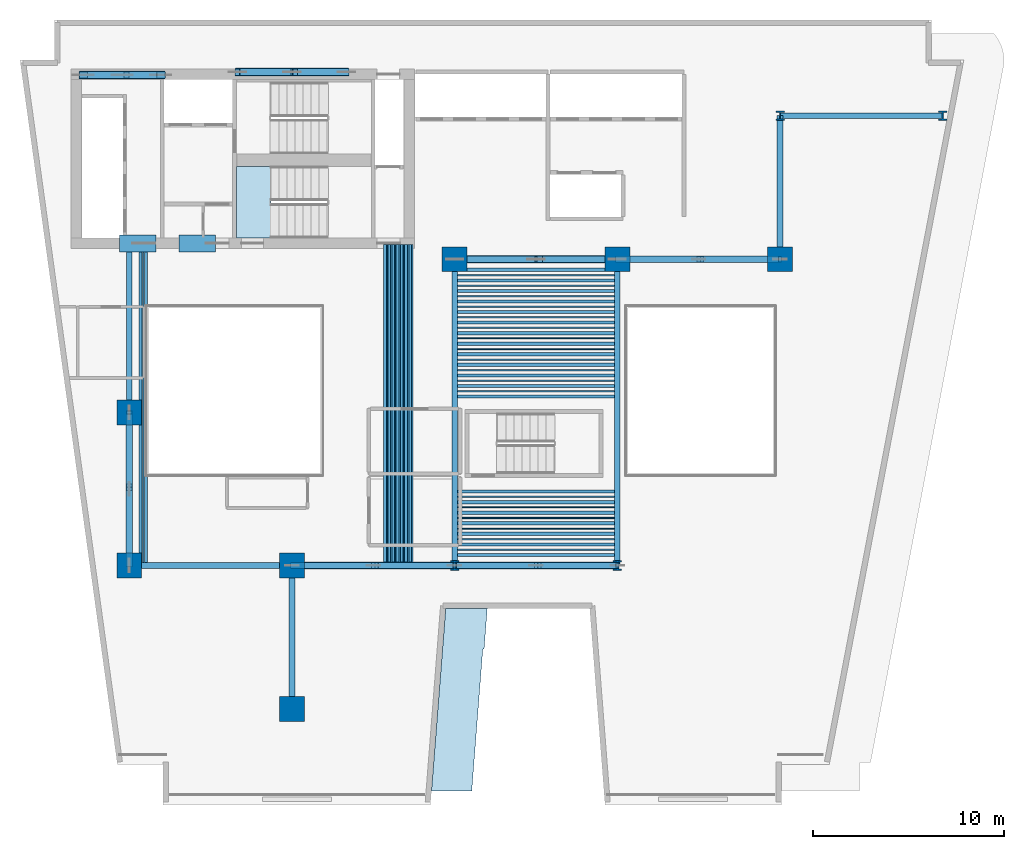
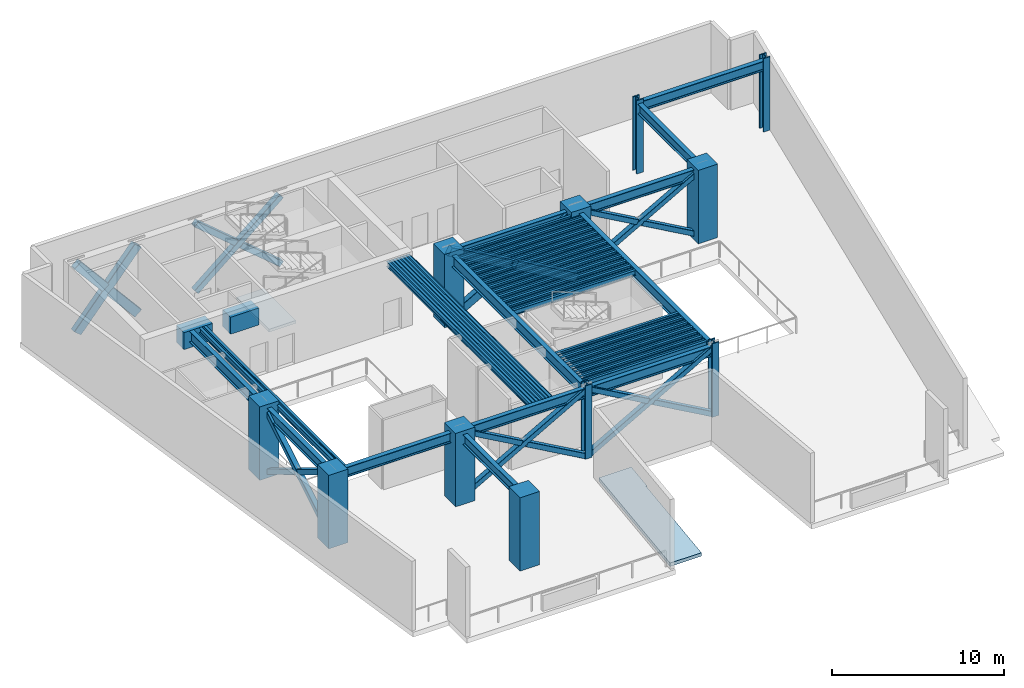
# One storey, part 1 of 8: 69 beams, 21 members, 11 columns, 2 slabs, 1 element without a shape of its own.
"""IFC4 building model written with IfcOpenShell, lengths in metres."""

from ifc_helpers import new_model, si_unit, direction, frame, origin, origin_2d, place, context, subcontext, project, spatial, polyline, rectangle, hollow_rectangle, i_section, outline, extrude, material, layer, layer_set, material_profile, profile_set, type_object, element, aggregate, save


model = new_model("IFC4")

# Units and contexts
model_context = context("Model", 3, precision=1e-05, world=origin(), true_north=direction((0.0, 1.0)))
body_context = subcontext(model_context, "Body", "Model", "MODEL_VIEW")
ifc_project = project(units=[si_unit("LENGTHUNIT", "METRE"), si_unit("AREAUNIT", "SQUARE_METRE"), si_unit("VOLUMEUNIT", "CUBIC_METRE"), si_unit("PLANEANGLEUNIT", "RADIAN"), si_unit("MASSUNIT", "GRAM", prefix="KILO")], contexts=[model_context])

# Site, building, storey
site_placement = place(None, origin())
site = spatial("IfcSite", under=ifc_project, at=site_placement, CompositionType="ELEMENT")
building_placement = place(site_placement, origin())
building = spatial("IfcBuilding", under=site, at=building_placement, Name="Caeloran Harvest Quay", CompositionType="ELEMENT")
storey_placement = place(building_placement, frame((0.0, 0.0, 106.199951171875)))
storey = spatial("IfcBuildingStorey", under=building, at=storey_placement, Name="L24", CompositionType="ELEMENT", Elevation=106.199951171875)

# Columns
ifc_material_1 = material(Name="Concrete C80/95", Category="concrete")
ifc_material_profile_1 = material_profile(ifc_material_1, rectangle(XDim=1.300048828125, YDim=1.300048828125, at=origin_2d()), Name="RC 1300x1300")
ifc_profile_set_1 = profile_set([ifc_material_profile_1], Name="Concrete C80/95")
column_type_1 = type_object("IfcColumnType", Name="COL-MC-2-RC_1300x1300", PredefinedType="COLUMN", material=ifc_profile_set_1)
for number, where, z_axis, x_axis, name in (
    (1, (8.5, 15.0, 0.0), (0.0, 0.0, 1.0), (1.0, 0.0, 0.0), "L24 Structural Column (8.5, 15.0)"),
    (2, (8.5, 23.0, 0.0), (0.0, 0.0, 1.0), (1.0, 0.0, 0.0), "L24 Structural Column (8.5, 23.0)"),
    (3, (17.0, 7.5, 0.0), (0.0, 0.0, 1.0), (1.0, 0.0, 0.0), "L24 Structural Column (17.0, 7.5)"),
    (4, (17.0, 15.0, 0.0), (0.0, 0.0, 1.0), (1.0, 0.0, 0.0), "L24 Structural Column (17.0, 15.0)"),
    (5, (25.5, 31.0, 0.0), (0.0, 0.0, 1.0), (1.0, 0.0, 0.0), "L24 Structural Column (25.5, 31.0)"),
    (6, (34.0, 31.0, 0.0), (0.0, 0.0, 1.0), (1.0, 0.0, 0.0), "L24 Structural Column (34.0, 31.0)"),
    (7, (42.5, 31.0, 0.0), (0.0, 0.0, 1.0), (1.0, 0.0, 0.0), "L24 Structural Column (42.5, 31.0)"),
):
    element("IfcColumn", number, at=place(storey_placement, frame(where, z_axis=z_axis, x_axis=x_axis)), inside=storey, type_object=column_type_1, Name=name, PredefinedType="COLUMN", context=body_context, shape_type="SweptSolid", body=[
        extrude(rectangle(XDim=1.300048828125, YDim=1.300048828125, at=origin_2d()), origin(), (0.0, 0.0, 1.0), 5.199951171875),
    ])
ifc_material_2 = material(Name="Steel HISTAR 460", Category="steel")
ifc_material_profile_2 = material_profile(ifc_material_2, i_section(OverallWidth=0.43701171875, OverallDepth=0.513916015625, WebThickness=0.060546875, FlangeThickness=0.076904296875, FilletRadius=0.014892578125, at=origin_2d()), Name="HD 400x818")
ifc_profile_set_2 = profile_set([ifc_material_profile_2], Name="Steel HISTAR 460")
column_type_2 = type_object("IfcColumnType", Name="COL-SC-2-HD_400x818", PredefinedType="COLUMN", material=ifc_profile_set_2)
for number, where, z_axis, x_axis, name in (
    (8, (25.5, 15.0, 0.0), (0.0, 0.0, 1.0), (1.0, 0.0, 0.0), "L24 Structural Column (25.5, 15.0)"),
    (9, (34.0, 15.0, 0.0), (0.0, 0.0, 1.0), (1.0, 0.0, 0.0), "L24 Structural Column (34.0, 15.0)"),
    (10, (42.5, 38.5, 0.0), (0.0, 0.0, 1.0), (1.0, 0.0, 0.0), "L24 Structural Column (42.5, 38.5)"),
    (11, (51.0, 38.5, 0.0), (0.0, 0.0, 1.0), (1.0, 0.0, 0.0), "L24 Structural Column (51.0, 38.5)"),
):
    element("IfcColumn", number, at=place(storey_placement, frame(where, z_axis=z_axis, x_axis=x_axis)), inside=storey, type_object=column_type_2, Name=name, PredefinedType="COLUMN", context=body_context, shape_type="SweptSolid", body=[
        extrude(i_section(OverallWidth=0.43701171875, OverallDepth=0.513916015625, WebThickness=0.060546875, FlangeThickness=0.076904296875, FilletRadius=0.014892578125, at=origin_2d()), origin(), (0.0, 0.0, 1.0), 5.199951171875),
    ])

# Beams
ifc_material_profile_3 = material_profile(ifc_material_1, rectangle(XDim=0.89990234375, YDim=1.199951171875, at=origin_2d()), Name="RC 900x1200")
ifc_profile_set_3 = profile_set([ifc_material_profile_3], Name="Concrete C80/95")
beam_type_1 = type_object("IfcBeamType", Name="BM-CB-1-RC_900x1200", PredefinedType="LINTEL", material=ifc_profile_set_3)
for number, where, z_axis, x_axis, name in (
    (12, (8.0, 31.824951171875, 4.340087890625), (1.0, 0.0, 0.0), (0.0, 1.0, 0.0), "L24 Core Coupling Beam 1"),
    (13, (11.10009765625, 31.824951171875, 4.340087890625), (1.0, 0.0, 0.0), (0.0, 1.0, 0.0), "L24 Core Coupling Beam 2"),
):
    element("IfcBeam", number, at=place(storey_placement, frame(where, z_axis=z_axis, x_axis=x_axis)), inside=storey, type_object=beam_type_1, Name=name, PredefinedType="LINTEL", context=body_context, shape_type="SweptSolid", body=[
        extrude(rectangle(XDim=0.89990234375, YDim=1.199951171875, at=origin_2d()), origin(), (0.0, 0.0, 1.0), 1.89990234375),
    ])
ifc_material_3 = material(Name="Steel S355J2", Category="steel")
ifc_material_profile_4 = material_profile(ifc_material_3, i_section(OverallWidth=0.300048828125, OverallDepth=0.800048828125, WebThickness=0.017578125, FlangeThickness=0.032958984375, FilletRadius=0.030029296875, at=origin_2d()), Name="HE 800 B")
ifc_profile_set_4 = profile_set([ifc_material_profile_4], Name="Steel S355J2")
beam_type_2 = type_object("IfcBeamType", Name="BM-PG-1-HE_800_B", PredefinedType="BEAM", material=ifc_profile_set_4)
beam_1_placement = place(storey_placement, frame((8.5, 23.0, 4.5400390625), z_axis=(0.0, 1.0, 0.0), x_axis=(-1.0, 0.0, 0.0)))
element("IfcBeam", 14, at=beam_1_placement, inside=storey, type_object=beam_type_2, Name="L24 Core South Tie Girder X=8.5", PredefinedType="BEAM", context=body_context, shape_type="SweptSolid", body=[
    extrude(i_section(OverallWidth=0.300048828125, OverallDepth=0.800048828125, WebThickness=0.017578125, FlangeThickness=0.032958984375, FilletRadius=0.030029296875, at=origin_2d()), origin(), (0.0, 0.0, 1.0), 8.77490234375),
])
for number, where, z_axis, x_axis, name in (
    (15, (25.5, 15.0, 4.5400390625), (0.0, 1.0, 0.0), (-1.0, 0.0, 0.0), "L24 Primary North-South Girder X=25.5"),
    (16, (34.0, 15.0, 4.5400390625), (0.0, 1.0, 0.0), (-1.0, 0.0, 0.0), "L24 Primary North-South Girder X=34.0"),
):
    element("IfcBeam", number, at=place(storey_placement, frame(where, z_axis=z_axis, x_axis=x_axis)), inside=storey, type_object=beam_type_2, Name=name, PredefinedType="BEAM", context=body_context, shape_type="SweptSolid", body=[
        extrude(i_section(OverallWidth=0.300048828125, OverallDepth=0.800048828125, WebThickness=0.017578125, FlangeThickness=0.032958984375, FilletRadius=0.030029296875, at=origin_2d()), origin(), (0.0, 0.0, 1.0), 16.0),
    ])
ifc_material_profile_5 = material_profile(ifc_material_3, i_section(OverallWidth=0.300048828125, OverallDepth=0.699951171875, WebThickness=0.01708984375, FlangeThickness=0.031982421875, FilletRadius=0.027099609375, at=origin_2d()), Name="HE 700 B")
ifc_profile_set_5 = profile_set([ifc_material_profile_5], Name="Steel S355J2")
beam_type_3 = type_object("IfcBeamType", Name="BM-PG-2-HE_700_B", PredefinedType="BEAM", material=ifc_profile_set_5)
for number, where, z_axis, x_axis, name in (
    (17, (8.5, 15.0, 4.590087890625), (1.0, 0.0, 0.0), (0.0, 1.0, 0.0), "L24 Primary East-West Girder Y=15.0"),
    (18, (17.0, 15.0, 4.590087890625), (1.0, 0.0, 0.0), (0.0, 1.0, 0.0), "L24 Primary East-West Girder Y=15.0"),
    (19, (25.5, 15.0, 4.590087890625), (1.0, 0.0, 0.0), (0.0, 1.0, 0.0), "L24 Primary East-West Girder Y=15.0"),
    (20, (25.5, 31.0, 4.590087890625), (1.0, 0.0, 0.0), (0.0, 1.0, 0.0), "L24 Primary East-West Girder Y=31.0"),
    (21, (34.0, 31.0, 4.590087890625), (1.0, 0.0, 0.0), (0.0, 1.0, 0.0), "L24 Primary East-West Girder Y=31.0"),
    (22, (42.5, 38.5, 4.590087890625), (1.0, 0.0, 0.0), (0.0, 1.0, 0.0), "L24 Primary East-West Girder Y=38.5"),
):
    element("IfcBeam", number, at=place(storey_placement, frame(where, z_axis=z_axis, x_axis=x_axis)), inside=storey, type_object=beam_type_3, Name=name, PredefinedType="BEAM", context=body_context, shape_type="SweptSolid", body=[
        extrude(i_section(OverallWidth=0.300048828125, OverallDepth=0.699951171875, WebThickness=0.01708984375, FlangeThickness=0.031982421875, FilletRadius=0.027099609375, at=origin_2d()), origin(), (0.0, 0.0, 1.0), 8.5),
    ])
beam_2_placement = place(storey_placement, frame((8.5, 15.0, 4.590087890625), z_axis=(0.0, 1.0, 0.0), x_axis=(-1.0, 0.0, 0.0)))
element("IfcBeam", 23, at=beam_2_placement, inside=storey, type_object=beam_type_3, Name="L24 Primary North-South Girder X=8.5", PredefinedType="BEAM", context=body_context, shape_type="SweptSolid", body=[
    extrude(i_section(OverallWidth=0.300048828125, OverallDepth=0.699951171875, WebThickness=0.01708984375, FlangeThickness=0.031982421875, FilletRadius=0.027099609375, at=origin_2d()), origin(), (0.0, 0.0, 1.0), 8.0),
])
for number, where, z_axis, x_axis, name in (
    (24, (17.0, 7.5, 4.590087890625), (0.0, 1.0, 0.0), (-1.0, 0.0, 0.0), "L24 Primary North-South Girder X=17.0"),
    (25, (42.5, 31.0, 4.590087890625), (0.0, 1.0, 0.0), (-1.0, 0.0, 0.0), "L24 Primary North-South Girder X=42.5"),
):
    element("IfcBeam", number, at=place(storey_placement, frame(where, z_axis=z_axis, x_axis=x_axis)), inside=storey, type_object=beam_type_3, Name=name, PredefinedType="BEAM", context=body_context, shape_type="SweptSolid", body=[
        extrude(i_section(OverallWidth=0.300048828125, OverallDepth=0.699951171875, WebThickness=0.01708984375, FlangeThickness=0.031982421875, FilletRadius=0.027099609375, at=origin_2d()), origin(), (0.0, 0.0, 1.0), 7.5),
    ])
ifc_material_profile_6 = material_profile(ifc_material_3, i_section(OverallWidth=0.169921875, OverallDepth=0.360107421875, WebThickness=0.008056640625, FlangeThickness=0.0126953125, FilletRadius=0.01806640625, at=origin_2d()), Name="IPE 360")
ifc_profile_set_6 = profile_set([ifc_material_profile_6], Name="Steel S355J2")
beam_type_4 = type_object("IfcBeamType", Name="BM-SB-5-IPE_360", PredefinedType="JOIST", material=ifc_profile_set_6)
for number, where, z_axis, x_axis, name in (
    (26, (9.086181640625, 15.14501953125, 4.760009765625), (0.0, 1.0, 0.0), (-1.0, 0.0, 0.0), "L24 Secondary Composite Joist"),
    (27, (9.37939453125, 15.14501953125, 4.760009765625), (0.0, 1.0, 0.0), (-1.0, 0.0, 0.0), "L24 Secondary Composite Joist"),
    (28, (21.855224609375, 15.14501953125, 4.760009765625), (0.0, 1.0, 0.0), (-1.0, 0.0, 0.0), "L24 Secondary Composite Joist"),
    (29, (22.075927734375, 15.14501953125, 4.760009765625), (0.0, 1.0, 0.0), (-1.0, 0.0, 0.0), "L24 Secondary Composite Joist"),
    (30, (22.296630859375, 15.14501953125, 4.760009765625), (0.0, 1.0, 0.0), (-1.0, 0.0, 0.0), "L24 Secondary Composite Joist"),
    (31, (22.51708984375, 15.14501953125, 4.760009765625), (0.0, 1.0, 0.0), (-1.0, 0.0, 0.0), "L24 Secondary Composite Joist"),
    (32, (22.73779296875, 15.14501953125, 4.760009765625), (0.0, 1.0, 0.0), (-1.0, 0.0, 0.0), "L24 Secondary Composite Joist"),
    (33, (22.95849609375, 15.14501953125, 4.760009765625), (0.0, 1.0, 0.0), (-1.0, 0.0, 0.0), "L24 Secondary Composite Joist"),
    (34, (23.17919921875, 15.14501953125, 4.760009765625), (0.0, 1.0, 0.0), (-1.0, 0.0, 0.0), "L24 Secondary Composite Joist"),
):
    element("IfcBeam", number, at=place(storey_placement, frame(where, z_axis=z_axis, x_axis=x_axis)), inside=storey, type_object=beam_type_4, Name=name, PredefinedType="JOIST", context=body_context, shape_type="SweptSolid", body=[
        extrude(i_section(OverallWidth=0.169921875, OverallDepth=0.360107421875, WebThickness=0.008056640625, FlangeThickness=0.0126953125, FilletRadius=0.01806640625, at=origin_2d()), origin(), (0.0, 0.0, 1.0), 16.6298828125),
    ])
for number, where, z_axis, x_axis, name in (
    (35, (25.64501953125, 15.5517578125, 4.760009765625), (1.0, 0.0, 0.0), (0.0, 1.0, 0.0), "L24 Secondary East-West Composite Joist"),
    (36, (25.64501953125, 16.103515625, 4.760009765625), (1.0, 0.0, 0.0), (0.0, 1.0, 0.0), "L24 Secondary East-West Composite Joist"),
    (37, (25.64501953125, 16.6552734375, 4.760009765625), (1.0, 0.0, 0.0), (0.0, 1.0, 0.0), "L24 Secondary East-West Composite Joist"),
    (38, (25.64501953125, 17.206787109375, 4.760009765625), (1.0, 0.0, 0.0), (0.0, 1.0, 0.0), "L24 Secondary East-West Composite Joist"),
    (39, (25.64501953125, 17.758544921875, 4.760009765625), (1.0, 0.0, 0.0), (0.0, 1.0, 0.0), "L24 Secondary East-West Composite Joist"),
    (40, (25.64501953125, 18.310302734375, 4.760009765625), (1.0, 0.0, 0.0), (0.0, 1.0, 0.0), "L24 Secondary East-West Composite Joist"),
    (41, (25.64501953125, 18.862060546875, 4.760009765625), (1.0, 0.0, 0.0), (0.0, 1.0, 0.0), "L24 Secondary East-West Composite Joist"),
    (42, (25.64501953125, 23.82763671875, 4.760009765625), (1.0, 0.0, 0.0), (0.0, 1.0, 0.0), "L24 Secondary East-West Composite Joist"),
    (43, (25.64501953125, 24.37939453125, 4.760009765625), (1.0, 0.0, 0.0), (0.0, 1.0, 0.0), "L24 Secondary East-West Composite Joist"),
    (44, (25.64501953125, 24.930908203125, 4.760009765625), (1.0, 0.0, 0.0), (0.0, 1.0, 0.0), "L24 Secondary East-West Composite Joist"),
    (45, (25.64501953125, 25.48291015625, 4.760009765625), (1.0, 0.0, 0.0), (0.0, 1.0, 0.0), "L24 Secondary East-West Composite Joist"),
    (46, (25.64501953125, 26.034423828125, 4.760009765625), (1.0, 0.0, 0.0), (0.0, 1.0, 0.0), "L24 Secondary East-West Composite Joist"),
    (47, (25.64501953125, 26.586181640625, 4.760009765625), (1.0, 0.0, 0.0), (0.0, 1.0, 0.0), "L24 Secondary East-West Composite Joist"),
    (48, (25.64501953125, 27.137939453125, 4.760009765625), (1.0, 0.0, 0.0), (0.0, 1.0, 0.0), "L24 Secondary East-West Composite Joist"),
    (49, (25.64501953125, 27.689697265625, 4.760009765625), (1.0, 0.0, 0.0), (0.0, 1.0, 0.0), "L24 Secondary East-West Composite Joist"),
    (50, (25.64501953125, 28.241455078125, 4.760009765625), (1.0, 0.0, 0.0), (0.0, 1.0, 0.0), "L24 Secondary East-West Composite Joist"),
    (51, (25.64501953125, 28.793212890625, 4.760009765625), (1.0, 0.0, 0.0), (0.0, 1.0, 0.0), "L24 Secondary East-West Composite Joist"),
    (52, (25.64501953125, 29.3447265625, 4.760009765625), (1.0, 0.0, 0.0), (0.0, 1.0, 0.0), "L24 Secondary East-West Composite Joist"),
    (53, (25.64501953125, 29.896484375, 4.760009765625), (1.0, 0.0, 0.0), (0.0, 1.0, 0.0), "L24 Secondary East-West Composite Joist"),
    (54, (25.64501953125, 30.4482421875, 4.760009765625), (1.0, 0.0, 0.0), (0.0, 1.0, 0.0), "L24 Secondary East-West Composite Joist"),
):
    element("IfcBeam", number, at=place(storey_placement, frame(where, z_axis=z_axis, x_axis=x_axis)), inside=storey, type_object=beam_type_4, Name=name, PredefinedType="JOIST", context=body_context, shape_type="SweptSolid", body=[
        extrude(i_section(OverallWidth=0.169921875, OverallDepth=0.360107421875, WebThickness=0.008056640625, FlangeThickness=0.0126953125, FilletRadius=0.01806640625, at=origin_2d()), origin(), (0.0, 0.0, 1.0), 8.2099609375),
    ])
ifc_material_profile_7 = material_profile(ifc_material_3, hollow_rectangle(XDim=0.080078125, YDim=0.199951171875, WallThickness=0.006103515625, InnerFilletRadius=0.006103515625, OuterFilletRadius=0.009033203125, at=origin_2d()), Name="RHS 200x80x6")
ifc_profile_set_7 = profile_set([ifc_material_profile_7], Name="Steel S355J2")
beam_type_5 = type_object("IfcBeamType", Name="BM-SB-7-RHS_200x80x6", PredefinedType="JOIST", material=ifc_profile_set_7)
for number, where, z_axis, x_axis, name in (
    (55, (9.23291015625, 15.14501953125, 4.840087890625), (0.0, 1.0, 0.0), (-1.0, 0.0, 0.0), "L24 Secondary Composite Joist"),
    (56, (21.965576171875, 15.14501953125, 4.840087890625), (0.0, 1.0, 0.0), (-1.0, 0.0, 0.0), "L24 Secondary Composite Joist"),
    (57, (22.186279296875, 15.14501953125, 4.840087890625), (0.0, 1.0, 0.0), (-1.0, 0.0, 0.0), "L24 Secondary Composite Joist"),
    (58, (22.406982421875, 15.14501953125, 4.840087890625), (0.0, 1.0, 0.0), (-1.0, 0.0, 0.0), "L24 Secondary Composite Joist"),
    (59, (22.627685546875, 15.14501953125, 4.840087890625), (0.0, 1.0, 0.0), (-1.0, 0.0, 0.0), "L24 Secondary Composite Joist"),
    (60, (22.848388671875, 15.14501953125, 4.840087890625), (0.0, 1.0, 0.0), (-1.0, 0.0, 0.0), "L24 Secondary Composite Joist"),
    (61, (23.069091796875, 15.14501953125, 4.840087890625), (0.0, 1.0, 0.0), (-1.0, 0.0, 0.0), "L24 Secondary Composite Joist"),
    (62, (23.289794921875, 15.14501953125, 4.840087890625), (0.0, 1.0, 0.0), (-1.0, 0.0, 0.0), "L24 Secondary Composite Joist"),
):
    element("IfcBeam", number, at=place(storey_placement, frame(where, z_axis=z_axis, x_axis=x_axis)), inside=storey, type_object=beam_type_5, Name=name, PredefinedType="JOIST", context=body_context, shape_type="SweptSolid", body=[
        extrude(hollow_rectangle(XDim=0.080078125, YDim=0.199951171875, WallThickness=0.006103515625, InnerFilletRadius=0.006103515625, OuterFilletRadius=0.009033203125, at=origin_2d()), origin(), (0.0, 0.0, 1.0), 16.6298828125),
    ])
for number, where, z_axis, x_axis, name in (
    (63, (25.64501953125, 15.82763671875, 4.840087890625), (1.0, 0.0, 0.0), (0.0, 1.0, 0.0), "L24 Secondary East-West Composite Joist"),
    (64, (25.64501953125, 16.37939453125, 4.840087890625), (1.0, 0.0, 0.0), (0.0, 1.0, 0.0), "L24 Secondary East-West Composite Joist"),
    (65, (25.64501953125, 16.930908203125, 4.840087890625), (1.0, 0.0, 0.0), (0.0, 1.0, 0.0), "L24 Secondary East-West Composite Joist"),
    (66, (25.64501953125, 17.48291015625, 4.840087890625), (1.0, 0.0, 0.0), (0.0, 1.0, 0.0), "L24 Secondary East-West Composite Joist"),
    (67, (25.64501953125, 18.034423828125, 4.840087890625), (1.0, 0.0, 0.0), (0.0, 1.0, 0.0), "L24 Secondary East-West Composite Joist"),
    (68, (25.64501953125, 18.586181640625, 4.840087890625), (1.0, 0.0, 0.0), (0.0, 1.0, 0.0), "L24 Secondary East-West Composite Joist"),
    (69, (25.64501953125, 24.103515625, 4.840087890625), (1.0, 0.0, 0.0), (0.0, 1.0, 0.0), "L24 Secondary East-West Composite Joist"),
    (70, (25.64501953125, 24.6552734375, 4.840087890625), (1.0, 0.0, 0.0), (0.0, 1.0, 0.0), "L24 Secondary East-West Composite Joist"),
    (71, (25.64501953125, 25.206787109375, 4.840087890625), (1.0, 0.0, 0.0), (0.0, 1.0, 0.0), "L24 Secondary East-West Composite Joist"),
    (72, (25.64501953125, 25.758544921875, 4.840087890625), (1.0, 0.0, 0.0), (0.0, 1.0, 0.0), "L24 Secondary East-West Composite Joist"),
    (73, (25.64501953125, 26.310302734375, 4.840087890625), (1.0, 0.0, 0.0), (0.0, 1.0, 0.0), "L24 Secondary East-West Composite Joist"),
    (74, (25.64501953125, 26.862060546875, 4.840087890625), (1.0, 0.0, 0.0), (0.0, 1.0, 0.0), "L24 Secondary East-West Composite Joist"),
    (75, (25.64501953125, 27.413818359375, 4.840087890625), (1.0, 0.0, 0.0), (0.0, 1.0, 0.0), "L24 Secondary East-West Composite Joist"),
    (76, (25.64501953125, 27.965576171875, 4.840087890625), (1.0, 0.0, 0.0), (0.0, 1.0, 0.0), "L24 Secondary East-West Composite Joist"),
    (77, (25.64501953125, 28.51708984375, 4.840087890625), (1.0, 0.0, 0.0), (0.0, 1.0, 0.0), "L24 Secondary East-West Composite Joist"),
    (78, (25.64501953125, 29.069091796875, 4.840087890625), (1.0, 0.0, 0.0), (0.0, 1.0, 0.0), "L24 Secondary East-West Composite Joist"),
    (79, (25.64501953125, 29.62060546875, 4.840087890625), (1.0, 0.0, 0.0), (0.0, 1.0, 0.0), "L24 Secondary East-West Composite Joist"),
    (80, (25.64501953125, 30.17236328125, 4.840087890625), (1.0, 0.0, 0.0), (0.0, 1.0, 0.0), "L24 Secondary East-West Composite Joist"),
):
    element("IfcBeam", number, at=place(storey_placement, frame(where, z_axis=z_axis, x_axis=x_axis)), inside=storey, type_object=beam_type_5, Name=name, PredefinedType="JOIST", context=body_context, shape_type="SweptSolid", body=[
        extrude(hollow_rectangle(XDim=0.080078125, YDim=0.199951171875, WallThickness=0.006103515625, InnerFilletRadius=0.006103515625, OuterFilletRadius=0.009033203125, at=origin_2d()), origin(), (0.0, 0.0, 1.0), 8.2099609375),
    ])

# Members
ifc_material_profile_8 = material_profile(ifc_material_2, hollow_rectangle(XDim=0.35009765625, YDim=0.35009765625, WallThickness=0.01611328125, InnerFilletRadius=0.01611328125, OuterFilletRadius=0.02392578125, at=origin_2d()), Name="SHS 350x350x16")
ifc_profile_set_8 = profile_set([ifc_material_profile_8], Name="Steel HISTAR 460")
member_type_1 = type_object("IfcMemberType", Name="MEM-BT-1-SHS_350x350x16", PredefinedType="BRACE", material=ifc_profile_set_8)
member_1_placement = place(storey_placement, frame((8.5, 15.0, 0.06005859375), z_axis=(0.0, 0.857490616715, 0.514499603737), x_axis=(-1.0, 0.0, 0.0)))
element("IfcMember", 81, at=member_1_placement, inside=storey, type_object=member_type_1, Name="L24 Perimeter Belt Truss Continuous Brace BELT-W1 A", PredefinedType="BRACE", context=body_context, shape_type="SweptSolid", body=[
    extrude(hollow_rectangle(XDim=0.35009765625, YDim=0.35009765625, WallThickness=0.01611328125, InnerFilletRadius=0.01611328125, OuterFilletRadius=0.02392578125, at=origin_2d()), origin(), (0.0, 0.0, 1.0), 9.32958984375),
])
for number, where, z_axis, x_axis, name in (
    (82, (8.5, 15.0, 4.860107421875), (0.0, 0.857497750414, -0.514487714172), (-1.0, 0.0, 0.0), "L24 Perimeter Belt Truss Split Brace BELT-W1 B1"),
    (83, (8.5, 19.17138671875, 2.357177734375), (0.0, 0.857497750414, -0.514487714172), (-1.0, 0.0, 0.0), "L24 Perimeter Belt Truss Split Brace BELT-W1 B2"),
):
    element("IfcMember", number, at=place(storey_placement, frame(where, z_axis=z_axis, x_axis=x_axis)), inside=storey, type_object=member_type_1, Name=name, PredefinedType="BRACE", context=body_context, shape_type="SweptSolid", body=[
        extrude(hollow_rectangle(XDim=0.35009765625, YDim=0.35009765625, WallThickness=0.01611328125, InnerFilletRadius=0.01611328125, OuterFilletRadius=0.02392578125, at=origin_2d()), origin(), (0.0, 0.0, 1.0), 4.46484375),
    ])
member_2_placement = place(storey_placement, frame((17.0, 15.0, 0.06005859375), z_axis=(0.870751425374, 0.0, 0.491723453995), x_axis=(0.0, 1.0, 0.0)))
element("IfcMember", 84, at=member_2_placement, inside=storey, type_object=member_type_1, Name="L24 Perimeter Belt Truss Continuous Brace BELT-S2 A", PredefinedType="BRACE", context=body_context, shape_type="SweptSolid", body=[
    extrude(hollow_rectangle(XDim=0.35009765625, YDim=0.35009765625, WallThickness=0.01611328125, InnerFilletRadius=0.01611328125, OuterFilletRadius=0.02392578125, at=origin_2d()), origin(), (0.0, 0.0, 1.0), 9.76171875),
])
for number, where, z_axis, x_axis, name in (
    (85, (17.0, 15.0, 4.860107421875), (0.870735700446, 0.0, -0.491751298898), (0.0, 1.0, 0.0), "L24 Perimeter Belt Truss Split Brace BELT-S2 B1"),
    (86, (21.42431640625, 15.0, 2.36181640625), (0.870735700446, 0.0, -0.491751298898), (0.0, 1.0, 0.0), "L24 Perimeter Belt Truss Split Brace BELT-S2 B2"),
):
    element("IfcMember", number, at=place(storey_placement, frame(where, z_axis=z_axis, x_axis=x_axis)), inside=storey, type_object=member_type_1, Name=name, PredefinedType="BRACE", context=body_context, shape_type="SweptSolid", body=[
        extrude(hollow_rectangle(XDim=0.35009765625, YDim=0.35009765625, WallThickness=0.01611328125, InnerFilletRadius=0.01611328125, OuterFilletRadius=0.02392578125, at=origin_2d()), origin(), (0.0, 0.0, 1.0), 4.6806640625),
    ])
member_3_placement = place(storey_placement, frame((25.5, 15.0, 0.06005859375), z_axis=(0.870751425374, 0.0, 0.491723453995), x_axis=(0.0, 1.0, 0.0)))
element("IfcMember", 87, at=member_3_placement, inside=storey, type_object=member_type_1, Name="L24 Perimeter Belt Truss Continuous Brace BELT-S3 A", PredefinedType="BRACE", context=body_context, shape_type="SweptSolid", body=[
    extrude(hollow_rectangle(XDim=0.35009765625, YDim=0.35009765625, WallThickness=0.01611328125, InnerFilletRadius=0.01611328125, OuterFilletRadius=0.02392578125, at=origin_2d()), origin(), (0.0, 0.0, 1.0), 9.76171875),
])
for number, where, z_axis, x_axis, name in (
    (88, (25.5, 15.0, 4.860107421875), (0.870735700446, 0.0, -0.491751298898), (0.0, 1.0, 0.0), "L24 Perimeter Belt Truss Split Brace BELT-S3 B1"),
    (89, (29.92431640625, 15.0, 2.36181640625), (0.870735700446, 0.0, -0.491751298898), (0.0, 1.0, 0.0), "L24 Perimeter Belt Truss Split Brace BELT-S3 B2"),
):
    element("IfcMember", number, at=place(storey_placement, frame(where, z_axis=z_axis, x_axis=x_axis)), inside=storey, type_object=member_type_1, Name=name, PredefinedType="BRACE", context=body_context, shape_type="SweptSolid", body=[
        extrude(hollow_rectangle(XDim=0.35009765625, YDim=0.35009765625, WallThickness=0.01611328125, InnerFilletRadius=0.01611328125, OuterFilletRadius=0.02392578125, at=origin_2d()), origin(), (0.0, 0.0, 1.0), 4.6806640625),
    ])
member_4_placement = place(storey_placement, frame((34.0, 31.0, 0.06005859375), z_axis=(0.870751425374, 0.0, 0.491723453995), x_axis=(0.0, 1.0, 0.0)))
element("IfcMember", 90, at=member_4_placement, inside=storey, type_object=member_type_1, Name="L24 Perimeter Belt Truss Continuous Brace BELT-N2 A", PredefinedType="BRACE", context=body_context, shape_type="SweptSolid", body=[
    extrude(hollow_rectangle(XDim=0.35009765625, YDim=0.35009765625, WallThickness=0.01611328125, InnerFilletRadius=0.01611328125, OuterFilletRadius=0.02392578125, at=origin_2d()), origin(), (0.0, 0.0, 1.0), 9.76171875),
])
for number, where, z_axis, x_axis, name in (
    (91, (34.0, 31.0, 4.860107421875), (0.870735700446, 0.0, -0.491751298898), (0.0, 1.0, 0.0), "L24 Perimeter Belt Truss Split Brace BELT-N2 B1"),
    (92, (38.42431640625, 31.0, 2.36181640625), (0.870735700446, 0.0, -0.491751298898), (0.0, 1.0, 0.0), "L24 Perimeter Belt Truss Split Brace BELT-N2 B2"),
):
    element("IfcMember", number, at=place(storey_placement, frame(where, z_axis=z_axis, x_axis=x_axis)), inside=storey, type_object=member_type_1, Name=name, PredefinedType="BRACE", context=body_context, shape_type="SweptSolid", body=[
        extrude(hollow_rectangle(XDim=0.35009765625, YDim=0.35009765625, WallThickness=0.01611328125, InnerFilletRadius=0.01611328125, OuterFilletRadius=0.02392578125, at=origin_2d()), origin(), (0.0, 0.0, 1.0), 4.6806640625),
    ])
ifc_material_profile_9 = material_profile(ifc_material_2, hollow_rectangle(XDim=0.39990234375, YDim=0.60009765625, WallThickness=0.02490234375, InnerFilletRadius=0.02490234375, OuterFilletRadius=0.03759765625, at=origin_2d()), Name="RHS 600x400x25")
ifc_profile_set_9 = profile_set([ifc_material_profile_9], Name="Steel HISTAR 460")
member_type_2 = type_object("IfcMemberType", Name="MEM-OU-1-RHS_600x400x25", PredefinedType="BRACE", material=ifc_profile_set_9)
member_5_placement = place(storey_placement, frame((6.10009765625, 40.625, 0.06005859375), z_axis=(0.64484894041, 0.0, 0.764310044454), x_axis=(0.0, 1.0, 0.0)))
element("IfcMember", 93, at=member_5_placement, inside=storey, type_object=member_type_2, Name="L24 Outrigger Truss Continuous Diagonal N-CORE1 A", PredefinedType="BRACE", context=body_context, shape_type="SweptSolid", body=[
    extrude(hollow_rectangle(XDim=0.39990234375, YDim=0.60009765625, WallThickness=0.02490234375, InnerFilletRadius=0.02490234375, OuterFilletRadius=0.03759765625, at=origin_2d()), origin(), (0.0, 0.0, 1.0), 6.2802734375),
])
for number, where, z_axis, x_axis, name in (
    (94, (6.10009765625, 40.625, 4.860107421875), (0.644843467978, 0.0, -0.764314661514), (0.0, 1.0, 0.0), "L24 Outrigger Truss Split Diagonal N-CORE1 B1"),
    (95, (8.266845703125, 40.625, 2.2919921875), (0.644843467978, 0.0, -0.764314661514), (0.0, 1.0, 0.0), "L24 Outrigger Truss Split Diagonal N-CORE1 B2"),
):
    element("IfcMember", number, at=place(storey_placement, frame(where, z_axis=z_axis, x_axis=x_axis)), inside=storey, type_object=member_type_2, Name=name, PredefinedType="BRACE", context=body_context, shape_type="SweptSolid", body=[
        extrude(hollow_rectangle(XDim=0.39990234375, YDim=0.60009765625, WallThickness=0.02490234375, InnerFilletRadius=0.02490234375, OuterFilletRadius=0.03759765625, at=origin_2d()), origin(), (0.0, 0.0, 1.0), 2.920166015625),
    ])
member_6_placement = place(storey_placement, frame((25.5, 31.0, 0.06005859375), z_axis=(0.870751425374, 0.0, 0.491723453995), x_axis=(0.0, 1.0, 0.0)))
element("IfcMember", 96, at=member_6_placement, inside=storey, type_object=member_type_2, Name="L24 Outrigger Truss Continuous Diagonal N-CORE3 A", PredefinedType="BRACE", context=body_context, shape_type="SweptSolid", body=[
    extrude(hollow_rectangle(XDim=0.39990234375, YDim=0.60009765625, WallThickness=0.02490234375, InnerFilletRadius=0.02490234375, OuterFilletRadius=0.03759765625, at=origin_2d()), origin(), (0.0, 0.0, 1.0), 9.76171875),
])
for number, where, z_axis, x_axis, name in (
    (97, (25.5, 31.0, 4.860107421875), (0.87075594185, 0.0, -0.491715456064), (0.0, 1.0, 0.0), "L24 Outrigger Truss Split Diagonal N-CORE3 B1"),
    (98, (29.941650390625, 31.0, 2.351806640625), (0.87075594185, 0.0, -0.491715456064), (0.0, 1.0, 0.0), "L24 Outrigger Truss Split Diagonal N-CORE3 B2"),
):
    element("IfcMember", number, at=place(storey_placement, frame(where, z_axis=z_axis, x_axis=x_axis)), inside=storey, type_object=member_type_2, Name=name, PredefinedType="BRACE", context=body_context, shape_type="SweptSolid", body=[
        extrude(hollow_rectangle(XDim=0.39990234375, YDim=0.60009765625, WallThickness=0.02490234375, InnerFilletRadius=0.02490234375, OuterFilletRadius=0.03759765625, at=origin_2d()), origin(), (0.0, 0.0, 1.0), 4.66064453125),
    ])
ifc_material_profile_10 = material_profile(ifc_material_2, hollow_rectangle(XDim=0.39990234375, YDim=0.39990234375, WallThickness=0.02001953125, InnerFilletRadius=0.02001953125, OuterFilletRadius=0.030029296875, at=origin_2d()), Name="SHS 400x400x20")
ifc_profile_set_10 = profile_set([ifc_material_profile_10], Name="Steel HISTAR 460")
member_type_3 = type_object("IfcMemberType", Name="MEM-OU-2-SHS_400x400x20", PredefinedType="BRACE", material=ifc_profile_set_10)
member_7_placement = place(storey_placement, frame((14.14990234375, 40.780029296875, 0.06005859375), z_axis=(0.764918844217, 0.0, 0.64412666593), x_axis=(0.0, 1.0, 0.0)))
element("IfcMember", 99, at=member_7_placement, inside=storey, type_object=member_type_3, Name="L24 Outrigger Truss Continuous Diagonal N-CORE2 A", PredefinedType="BRACE", context=body_context, shape_type="SweptSolid", body=[
    extrude(hollow_rectangle(XDim=0.39990234375, YDim=0.39990234375, WallThickness=0.02001953125, InnerFilletRadius=0.02001953125, OuterFilletRadius=0.030029296875, at=origin_2d()), origin(), (0.0, 0.0, 1.0), 7.451904296875),
])
for number, where, z_axis, x_axis, name in (
    (100, (14.14990234375, 40.780029296875, 4.860107421875), (0.76492925525, 0.0, -0.644114302327), (0.0, 1.0, 0.0), "L24 Outrigger Truss Split Diagonal N-CORE2 B1"),
    (101, (17.168212890625, 40.780029296875, 2.318359375), (0.76492925525, 0.0, -0.644114302327), (0.0, 1.0, 0.0), "L24 Outrigger Truss Split Diagonal N-CORE2 B2"),
):
    element("IfcMember", number, at=place(storey_placement, frame(where, z_axis=z_axis, x_axis=x_axis)), inside=storey, type_object=member_type_3, Name=name, PredefinedType="BRACE", context=body_context, shape_type="SweptSolid", body=[
        extrude(hollow_rectangle(XDim=0.39990234375, YDim=0.39990234375, WallThickness=0.02001953125, InnerFilletRadius=0.02001953125, OuterFilletRadius=0.030029296875, at=origin_2d()), origin(), (0.0, 0.0, 1.0), 3.506103515625),
    ])

# Slab
ifc_material_4 = material(Name="Concrete C50/60", Category="concrete")
ifc_layer_1 = layer(ifc_material_4, 0.239990234375, Name="Concrete C50/60")
ifc_layer_set_1 = layer_set([ifc_layer_1], Name="Concrete C50/60")
slab_type_1 = type_object("IfcSlabType", Name="SLAB-TR-240", PredefinedType="ROOF", material=ifc_layer_set_1)
slab_1_placement = place(storey_placement, frame((0.0, 0.0, -0.239990234375)))
element("IfcSlab", 102, at=slab_1_placement, inside=storey, type_object=slab_type_1, Name="L24 Step-Back Roof Slab 1", PredefinedType="ROOF", context=body_context, shape_type="SweptSolid", body=[
    extrude(outline(polyline([(25.030029296875, 12.75), (27.202880859375, 12.75), (27.0390625, 10.64990234375), (26.972412109375, 10.64990234375), (26.391845703125, 3.2099609375), (24.285400390625, 3.2099609375), (25.030029296875, 12.75)])), origin(), (0.0, 0.0, 1.0), 0.239990234375),
])

# Stair, slab
stair_type = type_object("IfcStairType", Name="STAIR-STC-180", PredefinedType="HALF_TURN_STAIR", material=ifc_material_4)
stair_placement = place(storey_placement, origin())
stair = element("IfcStair", 103, at=stair_placement, inside=storey, type_object=stair_type, Name="L24 Core Pressurized Exit Stair ST-C2", PredefinedType="HALF_TURN_STAIR")
ifc_layer_2 = layer(ifc_material_4, 0.219970703125, Name="Concrete C50/60")
ifc_layer_set_2 = layer_set([ifc_layer_2], Name="Concrete C50/60")
slab_type_2 = type_object("IfcSlabType", Name="STAIR-LANDING-220", PredefinedType="LANDING", material=ifc_layer_set_2)
slab_2_placement = place(storey_placement, frame((0.0, 0.0, 2.400146484375)))
slab_2 = element("IfcSlab", 104, at=slab_2_placement, type_object=slab_type_2, Name="ST-C2 landing 2", PredefinedType="LANDING", context=body_context, shape_type="SweptSolid", body=[
    extrude(outline(polyline([(14.10009765625, 32.10009765625), (15.89990234375, 32.10009765625), (15.89990234375, 35.85009765625), (14.10009765625, 35.85009765625), (14.10009765625, 32.10009765625)])), origin(), (0.0, 0.0, 1.0), 0.199951171875),
])
aggregate(stair, [slab_2])

save(model, "model.ifc")
